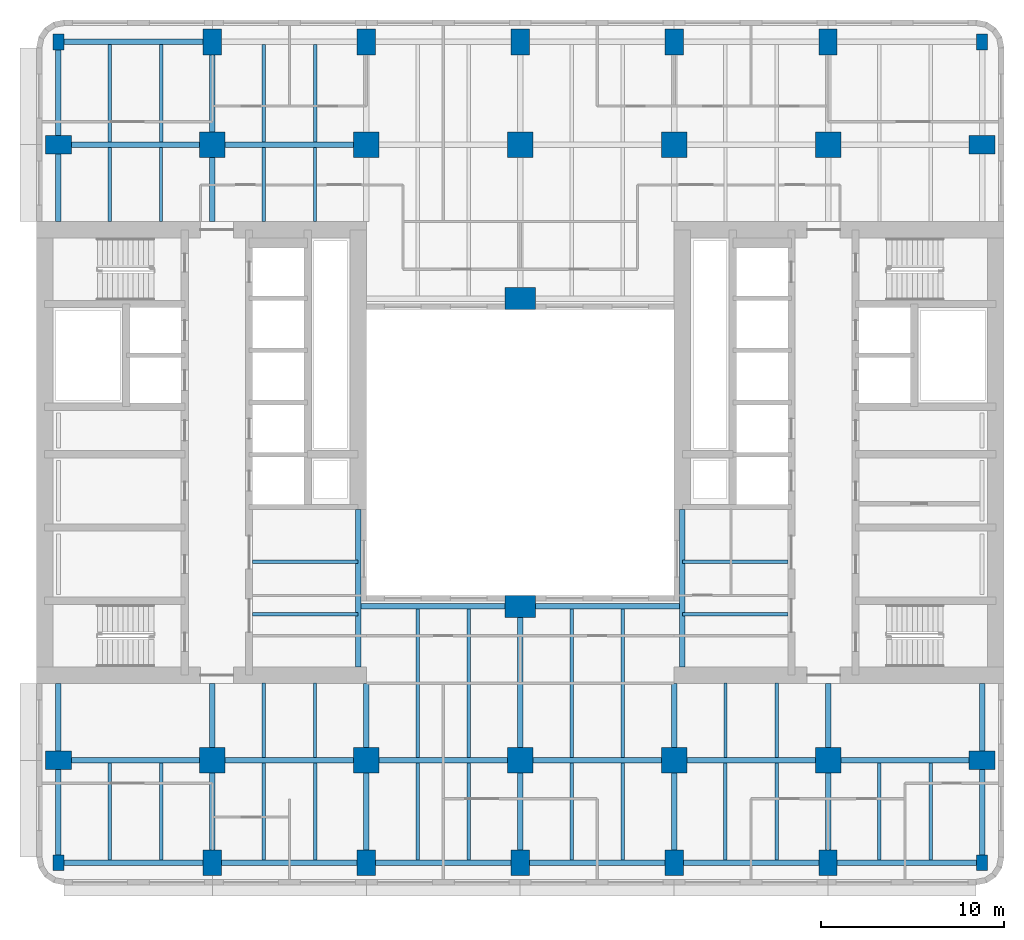
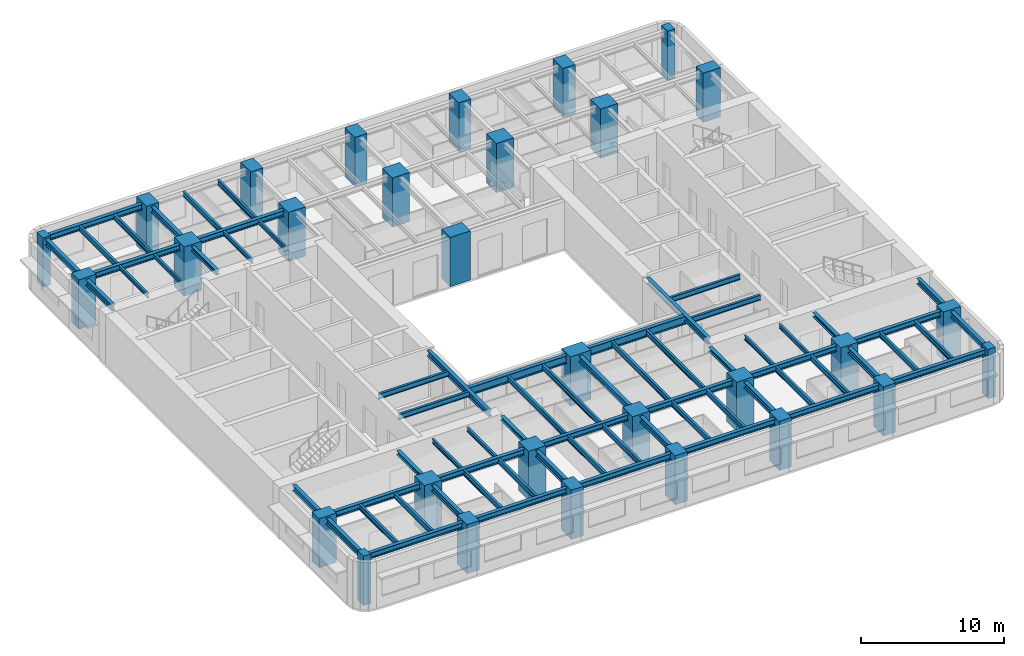
# One storey, part 1 of 11: 69 beams, 30 columns.
"""IFC4 building model written with IfcOpenShell, lengths in metres."""

from ifc_helpers import new_model, si_unit, direction, frame, origin, origin_2d, place, context, subcontext, project, spatial, rectangle, i_section, extrude, material, material_profile, profile_set, type_object, element, save


model = new_model("IFC4")

# Units and contexts
model_context = context("Model", 3, precision=1e-05, world=origin(), true_north=direction((0.0, 1.0)))
body_context = subcontext(model_context, "Body", "Model", "MODEL_VIEW")
ifc_project = project(units=[si_unit("LENGTHUNIT", "METRE"), si_unit("AREAUNIT", "SQUARE_METRE"), si_unit("VOLUMEUNIT", "CUBIC_METRE"), si_unit("PLANEANGLEUNIT", "RADIAN"), si_unit("MASSUNIT", "GRAM", prefix="KILO")], contexts=[model_context])

# Site, building, storey
site_placement = place(None, origin())
site = spatial("IfcSite", under=ifc_project, at=site_placement, CompositionType="ELEMENT")
building_placement = place(site_placement, origin())
building = spatial("IfcBuilding", under=site, at=building_placement, Name="Claustro Exchange Tower", CompositionType="ELEMENT")
storey_placement = place(building_placement, frame((0.0, 0.0, 151.199951171875)))
storey = spatial("IfcBuildingStorey", under=building, at=storey_placement, Name="L34", CompositionType="ELEMENT", Elevation=151.199951171875)

# Columns
ifc_material_1 = material(Name="Concrete HA-70 (C70/85)", Category="concrete")
ifc_material_profile_1 = material_profile(ifc_material_1, rectangle(XDim=1.39990234375, YDim=1.39990234375, at=origin_2d()), Name="RC 1400x1400")
ifc_profile_set_1 = profile_set([ifc_material_profile_1], Name="Concrete HA-70 (C70/85)")
column_type_1 = type_object("IfcColumnType", Name="C0 RC 1400x1400 HA-70 column", PredefinedType="COLUMN", material=ifc_profile_set_1)
for number, where, z_axis, x_axis, name in (
    (1, (8.39990234375, 8.39990234375, 0.0), (0.0, 0.0, 1.0), (1.0, 0.0, 0.0), "Column C0 2/B L34"),
    (2, (8.39990234375, 42.0, 0.0), (0.0, 0.0, 1.0), (1.0, 0.0, 0.0), "Column C0 2/F L34"),
    (3, (16.800048828125, 8.39990234375, 0.0), (0.0, 0.0, 1.0), (1.0, 0.0, 0.0), "Column C0 3/B L34"),
    (4, (16.800048828125, 42.0, 0.0), (0.0, 0.0, 1.0), (1.0, 0.0, 0.0), "Column C0 3/F L34"),
    (5, (25.199951171875, 8.39990234375, 0.0), (0.0, 0.0, 1.0), (1.0, 0.0, 0.0), "Column C0 4/B L34"),
    (6, (25.199951171875, 42.0, 0.0), (0.0, 0.0, 1.0), (1.0, 0.0, 0.0), "Column C0 4/F L34"),
    (7, (33.60009765625, 8.39990234375, 0.0), (0.0, 0.0, 1.0), (1.0, 0.0, 0.0), "Column C0 5/B L34"),
    (8, (33.60009765625, 42.0, 0.0), (0.0, 0.0, 1.0), (1.0, 0.0, 0.0), "Column C0 5/F L34"),
    (9, (42.0, 8.39990234375, 0.0), (0.0, 0.0, 1.0), (1.0, 0.0, 0.0), "Column C0 6/B L34"),
    (10, (42.0, 42.0, 0.0), (0.0, 0.0, 1.0), (1.0, 0.0, 0.0), "Column C0 6/F L34"),
):
    element("IfcColumn", number, at=place(storey_placement, frame(where, z_axis=z_axis, x_axis=x_axis)), inside=storey, type_object=column_type_1, Name=name, PredefinedType="COLUMN", context=body_context, shape_type="SweptSolid", body=[
        extrude(rectangle(XDim=1.39990234375, YDim=1.39990234375, at=origin_2d()), origin(), (0.0, 0.0, 1.0), 4.199951171875),
    ])
ifc_material_2 = material(Name="Concrete HA-70 (C70/85)", Category="concrete")
ifc_material_profile_2 = material_profile(ifc_material_2, rectangle(XDim=1.0, YDim=1.39990234375, at=origin_2d()), Name="RC 1000x1400")
ifc_profile_set_2 = profile_set([ifc_material_profile_2], Name="Concrete HA-70 (C70/85)")
column_type_2 = type_object("IfcColumnType", Name="C22 RC 1000x1400 HA-70 perimeter column", PredefinedType="COLUMN", material=ifc_profile_set_2)
for number, where, z_axis, x_axis, name in (
    (11, (0.0, 8.39990234375, 0.0), (0.0, 0.0, 1.0), (0.0, 1.0, 0.0), "Column C22 1/B L34"),
    (12, (0.0, 42.0, 0.0), (0.0, 0.0, 1.0), (0.0, 1.0, 0.0), "Column C22 1/F L34"),
    (13, (8.39990234375, 2.800048828125, 0.0), (0.0, 0.0, 1.0), (1.0, 0.0, 0.0), "Column C22 2/A+2800 L34"),
    (14, (8.39990234375, 47.60009765625, 0.0), (0.0, 0.0, 1.0), (1.0, 0.0, 0.0), "Column C22 2/F+5600 L34"),
    (15, (16.800048828125, 2.800048828125, 0.0), (0.0, 0.0, 1.0), (1.0, 0.0, 0.0), "Column C22 3/A+2800 L34"),
    (16, (16.800048828125, 47.60009765625, 0.0), (0.0, 0.0, 1.0), (1.0, 0.0, 0.0), "Column C22 3/F+5600 L34"),
    (17, (25.199951171875, 2.800048828125, 0.0), (0.0, 0.0, 1.0), (1.0, 0.0, 0.0), "Column C22 4/A+2800 L34"),
    (18, (25.199951171875, 47.60009765625, 0.0), (0.0, 0.0, 1.0), (1.0, 0.0, 0.0), "Column C22 4/F+5600 L34"),
    (19, (33.60009765625, 2.800048828125, 0.0), (0.0, 0.0, 1.0), (1.0, 0.0, 0.0), "Column C22 5/A+2800 L34"),
    (20, (33.60009765625, 47.60009765625, 0.0), (0.0, 0.0, 1.0), (1.0, 0.0, 0.0), "Column C22 5/F+5600 L34"),
    (21, (42.0, 2.800048828125, 0.0), (0.0, 0.0, 1.0), (1.0, 0.0, 0.0), "Column C22 6/A+2800 L34"),
    (22, (42.0, 47.60009765625, 0.0), (0.0, 0.0, 1.0), (1.0, 0.0, 0.0), "Column C22 6/F+5600 L34"),
    (23, (50.39990234375, 8.39990234375, 0.0), (0.0, 0.0, 1.0), (0.0, 1.0, 0.0), "Column C22 7/B L34"),
    (24, (50.39990234375, 42.0, 0.0), (0.0, 0.0, 1.0), (0.0, 1.0, 0.0), "Column C22 7/F L34"),
):
    element("IfcColumn", number, at=place(storey_placement, frame(where, z_axis=z_axis, x_axis=x_axis)), inside=storey, type_object=column_type_2, Name=name, PredefinedType="COLUMN", context=body_context, shape_type="SweptSolid", body=[
        extrude(rectangle(XDim=1.0, YDim=1.39990234375, at=origin_2d()), origin(), (0.0, 0.0, 1.0), 4.199951171875),
    ])
ifc_material_3 = material(Name="Concrete HA-50 (C50/60)", Category="concrete")
ifc_material_profile_3 = material_profile(ifc_material_3, rectangle(XDim=0.60009765625, YDim=0.85009765625, at=origin_2d()), Name="RC 600x850")
ifc_profile_set_3 = profile_set([ifc_material_profile_3], Name="Concrete HA-50 (C50/60)")
column_type_3 = type_object("IfcColumnType", Name="C25 RC 600x850 HA-50 corner column", PredefinedType="COLUMN", material=ifc_profile_set_3)
for number, where, z_axis, x_axis, name in (
    (25, (0.0, 2.800048828125, 0.0), (0.0, 0.0, 1.0), (1.0, 0.0, 0.0), "Column C25 1/A+2800 L34"),
    (26, (0.0, 47.60009765625, 0.0), (0.0, 0.0, 1.0), (1.0, 0.0, 0.0), "Column C25 1/F+5600 L34"),
    (27, (50.39990234375, 2.800048828125, 0.0), (0.0, 0.0, 1.0), (1.0, 0.0, 0.0), "Column C25 7/A+2800 L34"),
    (28, (50.39990234375, 47.60009765625, 0.0), (0.0, 0.0, 1.0), (1.0, 0.0, 0.0), "Column C25 7/F+5600 L34"),
):
    element("IfcColumn", number, at=place(storey_placement, frame(where, z_axis=z_axis, x_axis=x_axis)), inside=storey, type_object=column_type_3, Name=name, PredefinedType="COLUMN", context=body_context, shape_type="SweptSolid", body=[
        extrude(rectangle(XDim=0.60009765625, YDim=0.85009765625, at=origin_2d()), origin(), (0.0, 0.0, 1.0), 4.199951171875),
    ])
ifc_material_4 = material(Name="Concrete HA-70 (C70/85)", Category="concrete")
ifc_material_profile_4 = material_profile(ifc_material_4, rectangle(XDim=1.64990234375, YDim=1.199951171875, at=origin_2d()), Name="RC 1650x1200")
ifc_profile_set_4 = profile_set([ifc_material_profile_4], Name="Concrete HA-70 (C70/85)")
column_type_4 = type_object("IfcColumnType", Name="C32 RC 1650x1200 HA-70 light well column", PredefinedType="COLUMN", material=ifc_profile_set_4)
for number, where, z_axis, x_axis, name in (
    (29, (25.199951171875, 16.800048828125, 0.0), (0.0, 0.0, 1.0), (1.0, 0.0, 0.0), "Column C32 4/C L34"),
    (30, (25.199951171875, 33.60009765625, 0.0), (0.0, 0.0, 1.0), (1.0, 0.0, 0.0), "Column C32 4/E L34"),
):
    element("IfcColumn", number, at=place(storey_placement, frame(where, z_axis=z_axis, x_axis=x_axis)), inside=storey, type_object=column_type_4, Name=name, PredefinedType="COLUMN", context=body_context, shape_type="SweptSolid", body=[
        extrude(rectangle(XDim=1.64990234375, YDim=1.199951171875, at=origin_2d()), origin(), (0.0, 0.0, 1.0), 4.199951171875),
    ])

# Beams
ifc_material_5 = material(Name="Steel S355", Category="steel")
ifc_material_profile_5 = material_profile(ifc_material_5, i_section(OverallWidth=0.300048828125, OverallDepth=0.68994140625, WebThickness=0.014404296875, FlangeThickness=0.027099609375, FilletRadius=0.027099609375, at=origin_2d()), Name="HE 700 A")
ifc_profile_set_5 = profile_set([ifc_material_profile_5], Name="Steel S355")
beam_type_1 = type_object("IfcBeamType", Name="B13 HE 700 A light well edge girder", PredefinedType="BEAM", material=ifc_profile_set_5)
beam_1_placement = place(storey_placement, frame((16.35009765625, 16.800048828125, 3.705078125), z_axis=(1.0, 0.0, 0.0), x_axis=(0.0, 1.0, 0.0)))
element("IfcBeam", 31, at=beam_1_placement, inside=storey, type_object=beam_type_1, Name="Beam B13 L35", PredefinedType="BEAM", context=body_context, shape_type="SweptSolid", body=[
    extrude(i_section(OverallWidth=0.300048828125, OverallDepth=0.68994140625, WebThickness=0.014404296875, FlangeThickness=0.027099609375, FilletRadius=0.027099609375, at=origin_2d()), origin(), (0.0, 0.0, 1.0), 8.849853515625),
])
beam_2_placement = place(storey_placement, frame((25.199951171875, 16.800048828125, 3.705078125), z_axis=(1.0, 0.0, 0.0), x_axis=(0.0, 1.0, 0.0)))
element("IfcBeam", 32, at=beam_2_placement, inside=storey, type_object=beam_type_1, Name="Beam B13 L35", PredefinedType="BEAM", context=body_context, shape_type="SweptSolid", body=[
    extrude(i_section(OverallWidth=0.300048828125, OverallDepth=0.68994140625, WebThickness=0.014404296875, FlangeThickness=0.027099609375, FilletRadius=0.027099609375, at=origin_2d()), origin(), (0.0, 0.0, 1.0), 8.85009765625),
])
ifc_material_6 = material(Name="Steel S355", Category="steel")
ifc_material_profile_6 = material_profile(ifc_material_6, i_section(OverallWidth=0.169921875, OverallDepth=0.360107421875, WebThickness=0.008056640625, FlangeThickness=0.0126953125, FilletRadius=0.01806640625, at=origin_2d()), Name="IPE 360")
ifc_profile_set_6 = profile_set([ifc_material_profile_6], Name="Steel S355")
beam_type_2 = type_object("IfcBeamType", Name="B16 IPE 360 short-span beam", PredefinedType="BEAM", material=ifc_profile_set_6)
for number, where, z_axis, x_axis, name in (
    (33, (2.800048828125, 37.7900390625, 3.8701171875), (0.0, 1.0, 0.0), (-1.0, 0.0, 0.0), "Beam B16 L35"),
    (34, (5.60009765625, 37.7900390625, 3.8701171875), (0.0, 1.0, 0.0), (-1.0, 0.0, 0.0), "Beam B16 L35"),
    (35, (11.199951171875, 8.550048828125, 3.8701171875), (0.0, 1.0, 0.0), (-1.0, 0.0, 0.0), "Beam B16 L35"),
    (36, (14.0, 8.550048828125, 3.8701171875), (0.0, 1.0, 0.0), (-1.0, 0.0, 0.0), "Beam B16 L35"),
    (37, (11.199951171875, 37.7900390625, 3.8701171875), (0.0, 1.0, 0.0), (-1.0, 0.0, 0.0), "Beam B16 L35"),
    (38, (14.0, 37.7900390625, 3.8701171875), (0.0, 1.0, 0.0), (-1.0, 0.0, 0.0), "Beam B16 L35"),
    (39, (36.39990234375, 8.550048828125, 3.8701171875), (0.0, 1.0, 0.0), (-1.0, 0.0, 0.0), "Beam B16 L35"),
    (40, (39.199951171875, 8.550048828125, 3.8701171875), (0.0, 1.0, 0.0), (-1.0, 0.0, 0.0), "Beam B16 L35"),
):
    element("IfcBeam", number, at=place(storey_placement, frame(where, z_axis=z_axis, x_axis=x_axis)), inside=storey, type_object=beam_type_2, Name=name, PredefinedType="BEAM", context=body_context, shape_type="SweptSolid", body=[
        extrude(i_section(OverallWidth=0.169921875, OverallDepth=0.360107421875, WebThickness=0.008056640625, FlangeThickness=0.0126953125, FilletRadius=0.01806640625, at=origin_2d()), origin(), (0.0, 0.0, 1.0), 4.06005859375),
    ])
ifc_material_7 = material(Name="Steel S355", Category="steel")
ifc_material_profile_7 = material_profile(ifc_material_7, i_section(OverallWidth=0.300048828125, OverallDepth=0.360107421875, WebThickness=0.012451171875, FlangeThickness=0.0224609375, FilletRadius=0.027099609375, at=origin_2d()), Name="HE 360 B")
ifc_profile_set_7 = profile_set([ifc_material_profile_7], Name="Steel S355")
beam_type_3 = type_object("IfcBeamType", Name="B29 HE 360 B column to core link beam", PredefinedType="BEAM", material=ifc_profile_set_7)
beam_3_placement = place(storey_placement, frame((8.39990234375, 8.39990234375, 3.8701171875), z_axis=(0.0, 1.0, 0.0), x_axis=(-1.0, 0.0, 0.0)))
element("IfcBeam", 41, at=beam_3_placement, inside=storey, type_object=beam_type_3, Name="Beam B29 L35", PredefinedType="BEAM", context=body_context, shape_type="SweptSolid", body=[
    extrude(i_section(OverallWidth=0.300048828125, OverallDepth=0.360107421875, WebThickness=0.012451171875, FlangeThickness=0.0224609375, FilletRadius=0.027099609375, at=origin_2d()), origin(), (0.0, 0.0, 1.0), 4.2001953125),
])
beam_4_placement = place(storey_placement, frame((8.39990234375, 37.800048828125, 3.8701171875), z_axis=(0.0, 1.0, 0.0), x_axis=(-1.0, 0.0, 0.0)))
element("IfcBeam", 42, at=beam_4_placement, inside=storey, type_object=beam_type_3, Name="Beam B29 L35", PredefinedType="BEAM", context=body_context, shape_type="SweptSolid", body=[
    extrude(i_section(OverallWidth=0.300048828125, OverallDepth=0.360107421875, WebThickness=0.012451171875, FlangeThickness=0.0224609375, FilletRadius=0.027099609375, at=origin_2d()), origin(), (0.0, 0.0, 1.0), 4.199951171875),
])
for number, where, z_axis, x_axis, name in (
    (43, (16.800048828125, 8.39990234375, 3.8701171875), (0.0, 1.0, 0.0), (-1.0, 0.0, 0.0), "Beam B29 L35"),
    (44, (33.60009765625, 8.39990234375, 3.8701171875), (0.0, 1.0, 0.0), (-1.0, 0.0, 0.0), "Beam B29 L35"),
    (45, (42.0, 8.39990234375, 3.8701171875), (0.0, 1.0, 0.0), (-1.0, 0.0, 0.0), "Beam B29 L35"),
):
    element("IfcBeam", number, at=place(storey_placement, frame(where, z_axis=z_axis, x_axis=x_axis)), inside=storey, type_object=beam_type_3, Name=name, PredefinedType="BEAM", context=body_context, shape_type="SweptSolid", body=[
        extrude(i_section(OverallWidth=0.300048828125, OverallDepth=0.360107421875, WebThickness=0.012451171875, FlangeThickness=0.0224609375, FilletRadius=0.027099609375, at=origin_2d()), origin(), (0.0, 0.0, 1.0), 4.2001953125),
    ])
ifc_material_8 = material(Name="Steel S355", Category="steel")
ifc_material_profile_8 = material_profile(ifc_material_8, i_section(OverallWidth=0.300048828125, OverallDepth=0.5, WebThickness=0.014404296875, FlangeThickness=0.028076171875, FilletRadius=0.027099609375, at=origin_2d()), Name="HE 500 B")
ifc_profile_set_8 = profile_set([ifc_material_profile_8], Name="Steel S355")
beam_type_4 = type_object("IfcBeamType", Name="B7 HE 500 B floor girder", PredefinedType="BEAM", material=ifc_profile_set_8)
beam_5_placement = place(storey_placement, frame((8.39990234375, 2.800048828125, 3.800048828125), z_axis=(0.0, 1.0, 0.0), x_axis=(-1.0, 0.0, 0.0)))
element("IfcBeam", 46, at=beam_5_placement, inside=storey, type_object=beam_type_4, Name="Beam B7 L35", PredefinedType="BEAM", context=body_context, shape_type="SweptSolid", body=[
    extrude(i_section(OverallWidth=0.300048828125, OverallDepth=0.5, WebThickness=0.014404296875, FlangeThickness=0.028076171875, FilletRadius=0.027099609375, at=origin_2d()), origin(), (0.0, 0.0, 1.0), 5.599853515625),
])
beam_6_placement = place(storey_placement, frame((8.39990234375, 42.0, 3.800048828125), z_axis=(0.0, 1.0, 0.0), x_axis=(-1.0, 0.0, 0.0)))
element("IfcBeam", 47, at=beam_6_placement, inside=storey, type_object=beam_type_4, Name="Beam B7 L35", PredefinedType="BEAM", context=body_context, shape_type="SweptSolid", body=[
    extrude(i_section(OverallWidth=0.300048828125, OverallDepth=0.5, WebThickness=0.014404296875, FlangeThickness=0.028076171875, FilletRadius=0.027099609375, at=origin_2d()), origin(), (0.0, 0.0, 1.0), 5.60009765625),
])
for number, where, z_axis, x_axis, name in (
    (48, (16.800048828125, 2.800048828125, 3.800048828125), (0.0, 1.0, 0.0), (-1.0, 0.0, 0.0), "Beam B7 L35"),
    (49, (25.199951171875, 2.800048828125, 3.800048828125), (0.0, 1.0, 0.0), (-1.0, 0.0, 0.0), "Beam B7 L35"),
):
    element("IfcBeam", number, at=place(storey_placement, frame(where, z_axis=z_axis, x_axis=x_axis)), inside=storey, type_object=beam_type_4, Name=name, PredefinedType="BEAM", context=body_context, shape_type="SweptSolid", body=[
        extrude(i_section(OverallWidth=0.300048828125, OverallDepth=0.5, WebThickness=0.014404296875, FlangeThickness=0.028076171875, FilletRadius=0.027099609375, at=origin_2d()), origin(), (0.0, 0.0, 1.0), 5.599853515625),
    ])
beam_7_placement = place(storey_placement, frame((25.199951171875, 8.39990234375, 3.800048828125), z_axis=(0.0, 1.0, 0.0), x_axis=(-1.0, 0.0, 0.0)))
element("IfcBeam", 50, at=beam_7_placement, inside=storey, type_object=beam_type_4, Name="Beam B7 L35", PredefinedType="BEAM", context=body_context, shape_type="SweptSolid", body=[
    extrude(i_section(OverallWidth=0.300048828125, OverallDepth=0.5, WebThickness=0.014404296875, FlangeThickness=0.028076171875, FilletRadius=0.027099609375, at=origin_2d()), origin(), (0.0, 0.0, 1.0), 8.400146484375),
])
for number, where, z_axis, x_axis, name in (
    (51, (33.60009765625, 2.800048828125, 3.800048828125), (0.0, 1.0, 0.0), (-1.0, 0.0, 0.0), "Beam B7 L35"),
    (52, (42.0, 2.800048828125, 3.800048828125), (0.0, 1.0, 0.0), (-1.0, 0.0, 0.0), "Beam B7 L35"),
):
    element("IfcBeam", number, at=place(storey_placement, frame(where, z_axis=z_axis, x_axis=x_axis)), inside=storey, type_object=beam_type_4, Name=name, PredefinedType="BEAM", context=body_context, shape_type="SweptSolid", body=[
        extrude(i_section(OverallWidth=0.300048828125, OverallDepth=0.5, WebThickness=0.014404296875, FlangeThickness=0.028076171875, FilletRadius=0.027099609375, at=origin_2d()), origin(), (0.0, 0.0, 1.0), 5.599853515625),
    ])
beam_8_placement = place(storey_placement, frame((0.0, 8.39990234375, 3.800048828125), z_axis=(1.0, 0.0, 0.0), x_axis=(0.0, 1.0, 0.0)))
element("IfcBeam", 53, at=beam_8_placement, inside=storey, type_object=beam_type_4, Name="Beam B7 L35", PredefinedType="BEAM", context=body_context, shape_type="SweptSolid", body=[
    extrude(i_section(OverallWidth=0.300048828125, OverallDepth=0.5, WebThickness=0.014404296875, FlangeThickness=0.028076171875, FilletRadius=0.027099609375, at=origin_2d()), origin(), (0.0, 0.0, 1.0), 8.39990234375),
])
beam_9_placement = place(storey_placement, frame((8.39990234375, 8.39990234375, 3.800048828125), z_axis=(1.0, 0.0, 0.0), x_axis=(0.0, 1.0, 0.0)))
element("IfcBeam", 54, at=beam_9_placement, inside=storey, type_object=beam_type_4, Name="Beam B7 L35", PredefinedType="BEAM", context=body_context, shape_type="SweptSolid", body=[
    extrude(i_section(OverallWidth=0.300048828125, OverallDepth=0.5, WebThickness=0.014404296875, FlangeThickness=0.028076171875, FilletRadius=0.027099609375, at=origin_2d()), origin(), (0.0, 0.0, 1.0), 8.400146484375),
])
beam_10_placement = place(storey_placement, frame((16.800048828125, 8.39990234375, 3.800048828125), z_axis=(1.0, 0.0, 0.0), x_axis=(0.0, 1.0, 0.0)))
element("IfcBeam", 55, at=beam_10_placement, inside=storey, type_object=beam_type_4, Name="Beam B7 L35", PredefinedType="BEAM", context=body_context, shape_type="SweptSolid", body=[
    extrude(i_section(OverallWidth=0.300048828125, OverallDepth=0.5, WebThickness=0.014404296875, FlangeThickness=0.028076171875, FilletRadius=0.027099609375, at=origin_2d()), origin(), (0.0, 0.0, 1.0), 8.39990234375),
])
beam_11_placement = place(storey_placement, frame((25.199951171875, 8.39990234375, 3.800048828125), z_axis=(1.0, 0.0, 0.0), x_axis=(0.0, 1.0, 0.0)))
element("IfcBeam", 56, at=beam_11_placement, inside=storey, type_object=beam_type_4, Name="Beam B7 L35", PredefinedType="BEAM", context=body_context, shape_type="SweptSolid", body=[
    extrude(i_section(OverallWidth=0.300048828125, OverallDepth=0.5, WebThickness=0.014404296875, FlangeThickness=0.028076171875, FilletRadius=0.027099609375, at=origin_2d()), origin(), (0.0, 0.0, 1.0), 8.400146484375),
])
for number, where, z_axis, x_axis, name in (
    (57, (33.60009765625, 8.39990234375, 3.800048828125), (1.0, 0.0, 0.0), (0.0, 1.0, 0.0), "Beam B7 L35"),
    (58, (42.0, 8.39990234375, 3.800048828125), (1.0, 0.0, 0.0), (0.0, 1.0, 0.0), "Beam B7 L35"),
    (59, (0.0, 42.0, 3.800048828125), (1.0, 0.0, 0.0), (0.0, 1.0, 0.0), "Beam B7 L35"),
):
    element("IfcBeam", number, at=place(storey_placement, frame(where, z_axis=z_axis, x_axis=x_axis)), inside=storey, type_object=beam_type_4, Name=name, PredefinedType="BEAM", context=body_context, shape_type="SweptSolid", body=[
        extrude(i_section(OverallWidth=0.300048828125, OverallDepth=0.5, WebThickness=0.014404296875, FlangeThickness=0.028076171875, FilletRadius=0.027099609375, at=origin_2d()), origin(), (0.0, 0.0, 1.0), 8.39990234375),
    ])
beam_12_placement = place(storey_placement, frame((8.39990234375, 42.0, 3.800048828125), z_axis=(1.0, 0.0, 0.0), x_axis=(0.0, 1.0, 0.0)))
element("IfcBeam", 60, at=beam_12_placement, inside=storey, type_object=beam_type_4, Name="Beam B7 L35", PredefinedType="BEAM", context=body_context, shape_type="SweptSolid", body=[
    extrude(i_section(OverallWidth=0.300048828125, OverallDepth=0.5, WebThickness=0.014404296875, FlangeThickness=0.028076171875, FilletRadius=0.027099609375, at=origin_2d()), origin(), (0.0, 0.0, 1.0), 8.400146484375),
])
for number, where, z_axis, x_axis, name in (
    (61, (16.35009765625, 13.5, 3.800048828125), (0.0, 1.0, 0.0), (-1.0, 0.0, 0.0), "Beam B7 core step framing L35"),
    (62, (34.050048828125, 13.5, 3.800048828125), (0.0, 1.0, 0.0), (-1.0, 0.0, 0.0), "Beam B7 core step framing L35"),
):
    element("IfcBeam", number, at=place(storey_placement, frame(where, z_axis=z_axis, x_axis=x_axis)), inside=storey, type_object=beam_type_4, Name=name, PredefinedType="BEAM", context=body_context, shape_type="SweptSolid", body=[
        extrude(i_section(OverallWidth=0.300048828125, OverallDepth=0.5, WebThickness=0.014404296875, FlangeThickness=0.028076171875, FilletRadius=0.027099609375, at=origin_2d()), origin(), (0.0, 0.0, 1.0), 8.60009765625),
    ])
ifc_material_9 = material(Name="Steel S355", Category="steel")
ifc_material_profile_9 = material_profile(ifc_material_9, i_section(OverallWidth=0.18994140625, OverallDepth=0.449951171875, WebThickness=0.009521484375, FlangeThickness=0.0146484375, FilletRadius=0.02099609375, at=origin_2d()), Name="IPE 450")
ifc_profile_set_9 = profile_set([ifc_material_profile_9], Name="Steel S355")
beam_type_5 = type_object("IfcBeamType", Name="B8 IPE 450 secondary beam", PredefinedType="BEAM", material=ifc_profile_set_9)
for number, where, z_axis, x_axis, name in (
    (63, (2.800048828125, 2.949951171875, 3.824951171875), (0.0, 1.0, 0.0), (-1.0, 0.0, 0.0), "Beam B8 L35"),
    (64, (5.60009765625, 2.949951171875, 3.824951171875), (0.0, 1.0, 0.0), (-1.0, 0.0, 0.0), "Beam B8 L35"),
    (65, (2.800048828125, 42.14990234375, 3.824951171875), (0.0, 1.0, 0.0), (-1.0, 0.0, 0.0), "Beam B8 L35"),
    (66, (5.60009765625, 42.14990234375, 3.824951171875), (0.0, 1.0, 0.0), (-1.0, 0.0, 0.0), "Beam B8 L35"),
    (67, (11.199951171875, 2.949951171875, 3.824951171875), (0.0, 1.0, 0.0), (-1.0, 0.0, 0.0), "Beam B8 L35"),
    (68, (14.0, 2.949951171875, 3.824951171875), (0.0, 1.0, 0.0), (-1.0, 0.0, 0.0), "Beam B8 L35"),
    (69, (11.199951171875, 42.14990234375, 3.824951171875), (0.0, 1.0, 0.0), (-1.0, 0.0, 0.0), "Beam B8 L35"),
    (70, (14.0, 42.14990234375, 3.824951171875), (0.0, 1.0, 0.0), (-1.0, 0.0, 0.0), "Beam B8 L35"),
    (71, (19.60009765625, 2.949951171875, 3.824951171875), (0.0, 1.0, 0.0), (-1.0, 0.0, 0.0), "Beam B8 L35"),
    (72, (22.39990234375, 2.949951171875, 3.824951171875), (0.0, 1.0, 0.0), (-1.0, 0.0, 0.0), "Beam B8 L35"),
):
    element("IfcBeam", number, at=place(storey_placement, frame(where, z_axis=z_axis, x_axis=x_axis)), inside=storey, type_object=beam_type_5, Name=name, PredefinedType="BEAM", context=body_context, shape_type="SweptSolid", body=[
        extrude(i_section(OverallWidth=0.18994140625, OverallDepth=0.449951171875, WebThickness=0.009521484375, FlangeThickness=0.0146484375, FilletRadius=0.02099609375, at=origin_2d()), origin(), (0.0, 0.0, 1.0), 5.300048828125),
    ])
for number, where, z_axis, x_axis, name in (
    (73, (19.60009765625, 8.550048828125, 3.824951171875), (0.0, 1.0, 0.0), (-1.0, 0.0, 0.0), "Beam B8 L35"),
    (74, (22.39990234375, 8.550048828125, 3.824951171875), (0.0, 1.0, 0.0), (-1.0, 0.0, 0.0), "Beam B8 L35"),
):
    element("IfcBeam", number, at=place(storey_placement, frame(where, z_axis=z_axis, x_axis=x_axis)), inside=storey, type_object=beam_type_5, Name=name, PredefinedType="BEAM", context=body_context, shape_type="SweptSolid", body=[
        extrude(i_section(OverallWidth=0.18994140625, OverallDepth=0.449951171875, WebThickness=0.009521484375, FlangeThickness=0.0146484375, FilletRadius=0.02099609375, at=origin_2d()), origin(), (0.0, 0.0, 1.0), 8.099853515625),
    ])
for number, where, z_axis, x_axis, name in (
    (75, (28.0, 2.949951171875, 3.824951171875), (0.0, 1.0, 0.0), (-1.0, 0.0, 0.0), "Beam B8 L35"),
    (76, (30.800048828125, 2.949951171875, 3.824951171875), (0.0, 1.0, 0.0), (-1.0, 0.0, 0.0), "Beam B8 L35"),
):
    element("IfcBeam", number, at=place(storey_placement, frame(where, z_axis=z_axis, x_axis=x_axis)), inside=storey, type_object=beam_type_5, Name=name, PredefinedType="BEAM", context=body_context, shape_type="SweptSolid", body=[
        extrude(i_section(OverallWidth=0.18994140625, OverallDepth=0.449951171875, WebThickness=0.009521484375, FlangeThickness=0.0146484375, FilletRadius=0.02099609375, at=origin_2d()), origin(), (0.0, 0.0, 1.0), 5.300048828125),
    ])
for number, where, z_axis, x_axis, name in (
    (77, (28.0, 8.550048828125, 3.824951171875), (0.0, 1.0, 0.0), (-1.0, 0.0, 0.0), "Beam B8 L35"),
    (78, (30.800048828125, 8.550048828125, 3.824951171875), (0.0, 1.0, 0.0), (-1.0, 0.0, 0.0), "Beam B8 L35"),
):
    element("IfcBeam", number, at=place(storey_placement, frame(where, z_axis=z_axis, x_axis=x_axis)), inside=storey, type_object=beam_type_5, Name=name, PredefinedType="BEAM", context=body_context, shape_type="SweptSolid", body=[
        extrude(i_section(OverallWidth=0.18994140625, OverallDepth=0.449951171875, WebThickness=0.009521484375, FlangeThickness=0.0146484375, FilletRadius=0.02099609375, at=origin_2d()), origin(), (0.0, 0.0, 1.0), 8.099853515625),
    ])
for number, where, z_axis, x_axis, name in (
    (79, (36.39990234375, 2.949951171875, 3.824951171875), (0.0, 1.0, 0.0), (-1.0, 0.0, 0.0), "Beam B8 L35"),
    (80, (39.199951171875, 2.949951171875, 3.824951171875), (0.0, 1.0, 0.0), (-1.0, 0.0, 0.0), "Beam B8 L35"),
    (81, (44.800048828125, 2.949951171875, 3.824951171875), (0.0, 1.0, 0.0), (-1.0, 0.0, 0.0), "Beam B8 L35"),
    (82, (47.60009765625, 2.949951171875, 3.824951171875), (0.0, 1.0, 0.0), (-1.0, 0.0, 0.0), "Beam B8 L35"),
):
    element("IfcBeam", number, at=place(storey_placement, frame(where, z_axis=z_axis, x_axis=x_axis)), inside=storey, type_object=beam_type_5, Name=name, PredefinedType="BEAM", context=body_context, shape_type="SweptSolid", body=[
        extrude(i_section(OverallWidth=0.18994140625, OverallDepth=0.449951171875, WebThickness=0.009521484375, FlangeThickness=0.0146484375, FilletRadius=0.02099609375, at=origin_2d()), origin(), (0.0, 0.0, 1.0), 5.300048828125),
    ])
for number, where, z_axis, x_axis, name in (
    (83, (10.60009765625, 16.36669921875, 3.824951171875), (1.0, 0.0, 0.0), (0.0, 1.0, 0.0), "Beam B8 core step framing L35"),
    (84, (10.60009765625, 19.2333984375, 3.824951171875), (1.0, 0.0, 0.0), (0.0, 1.0, 0.0), "Beam B8 core step framing L35"),
    (85, (34.050048828125, 16.36669921875, 3.824951171875), (1.0, 0.0, 0.0), (0.0, 1.0, 0.0), "Beam B8 core step framing L35"),
    (86, (34.050048828125, 19.2333984375, 3.824951171875), (1.0, 0.0, 0.0), (0.0, 1.0, 0.0), "Beam B8 core step framing L35"),
):
    element("IfcBeam", number, at=place(storey_placement, frame(where, z_axis=z_axis, x_axis=x_axis)), inside=storey, type_object=beam_type_5, Name=name, PredefinedType="BEAM", context=body_context, shape_type="SweptSolid", body=[
        extrude(i_section(OverallWidth=0.18994140625, OverallDepth=0.449951171875, WebThickness=0.009521484375, FlangeThickness=0.0146484375, FilletRadius=0.02099609375, at=origin_2d()), origin(), (0.0, 0.0, 1.0), 5.75),
    ])
ifc_material_10 = material(Name="Steel S355", Category="steel")
ifc_material_profile_10 = material_profile(ifc_material_10, i_section(OverallWidth=0.300048828125, OverallDepth=0.489990234375, WebThickness=0.011962890625, FlangeThickness=0.02294921875, FilletRadius=0.027099609375, at=origin_2d()), Name="HE 500 A")
ifc_profile_set_10 = profile_set([ifc_material_profile_10], Name="Steel S355")
beam_type_6 = type_object("IfcBeamType", Name="B9 HE 500 A spandrel edge girder", PredefinedType="SPANDREL", material=ifc_profile_set_10)
beam_13_placement = place(storey_placement, frame((0.0, 2.800048828125, 3.804931640625), z_axis=(0.0, 1.0, 0.0), x_axis=(-1.0, 0.0, 0.0)))
element("IfcBeam", 87, at=beam_13_placement, inside=storey, type_object=beam_type_6, Name="Beam B9 L35", PredefinedType="SPANDREL", context=body_context, shape_type="SweptSolid", body=[
    extrude(i_section(OverallWidth=0.300048828125, OverallDepth=0.489990234375, WebThickness=0.011962890625, FlangeThickness=0.02294921875, FilletRadius=0.027099609375, at=origin_2d()), origin(), (0.0, 0.0, 1.0), 5.599853515625),
])
beam_14_placement = place(storey_placement, frame((0.0, 8.39990234375, 3.804931640625), z_axis=(0.0, 1.0, 0.0), x_axis=(-1.0, 0.0, 0.0)))
element("IfcBeam", 88, at=beam_14_placement, inside=storey, type_object=beam_type_6, Name="Beam B9 L35", PredefinedType="SPANDREL", context=body_context, shape_type="SweptSolid", body=[
    extrude(i_section(OverallWidth=0.300048828125, OverallDepth=0.489990234375, WebThickness=0.011962890625, FlangeThickness=0.02294921875, FilletRadius=0.027099609375, at=origin_2d()), origin(), (0.0, 0.0, 1.0), 4.2001953125),
])
beam_15_placement = place(storey_placement, frame((0.0, 37.800048828125, 3.804931640625), z_axis=(0.0, 1.0, 0.0), x_axis=(-1.0, 0.0, 0.0)))
element("IfcBeam", 89, at=beam_15_placement, inside=storey, type_object=beam_type_6, Name="Beam B9 L35", PredefinedType="SPANDREL", context=body_context, shape_type="SweptSolid", body=[
    extrude(i_section(OverallWidth=0.300048828125, OverallDepth=0.489990234375, WebThickness=0.011962890625, FlangeThickness=0.02294921875, FilletRadius=0.027099609375, at=origin_2d()), origin(), (0.0, 0.0, 1.0), 4.199951171875),
])
beam_16_placement = place(storey_placement, frame((0.0, 42.0, 3.804931640625), z_axis=(0.0, 1.0, 0.0), x_axis=(-1.0, 0.0, 0.0)))
element("IfcBeam", 90, at=beam_16_placement, inside=storey, type_object=beam_type_6, Name="Beam B9 L35", PredefinedType="SPANDREL", context=body_context, shape_type="SweptSolid", body=[
    extrude(i_section(OverallWidth=0.300048828125, OverallDepth=0.489990234375, WebThickness=0.011962890625, FlangeThickness=0.02294921875, FilletRadius=0.027099609375, at=origin_2d()), origin(), (0.0, 0.0, 1.0), 5.60009765625),
])
beam_17_placement = place(storey_placement, frame((50.39990234375, 2.800048828125, 3.804931640625), z_axis=(0.0, 1.0, 0.0), x_axis=(-1.0, 0.0, 0.0)))
element("IfcBeam", 91, at=beam_17_placement, inside=storey, type_object=beam_type_6, Name="Beam B9 L35", PredefinedType="SPANDREL", context=body_context, shape_type="SweptSolid", body=[
    extrude(i_section(OverallWidth=0.300048828125, OverallDepth=0.489990234375, WebThickness=0.011962890625, FlangeThickness=0.02294921875, FilletRadius=0.027099609375, at=origin_2d()), origin(), (0.0, 0.0, 1.0), 5.599853515625),
])
beam_18_placement = place(storey_placement, frame((50.39990234375, 8.39990234375, 3.804931640625), z_axis=(0.0, 1.0, 0.0), x_axis=(-1.0, 0.0, 0.0)))
element("IfcBeam", 92, at=beam_18_placement, inside=storey, type_object=beam_type_6, Name="Beam B9 L35", PredefinedType="SPANDREL", context=body_context, shape_type="SweptSolid", body=[
    extrude(i_section(OverallWidth=0.300048828125, OverallDepth=0.489990234375, WebThickness=0.011962890625, FlangeThickness=0.02294921875, FilletRadius=0.027099609375, at=origin_2d()), origin(), (0.0, 0.0, 1.0), 4.2001953125),
])
beam_19_placement = place(storey_placement, frame((0.0, 2.800048828125, 3.804931640625), z_axis=(1.0, 0.0, 0.0), x_axis=(0.0, 1.0, 0.0)))
element("IfcBeam", 93, at=beam_19_placement, inside=storey, type_object=beam_type_6, Name="Beam B9 L35", PredefinedType="SPANDREL", context=body_context, shape_type="SweptSolid", body=[
    extrude(i_section(OverallWidth=0.300048828125, OverallDepth=0.489990234375, WebThickness=0.011962890625, FlangeThickness=0.02294921875, FilletRadius=0.027099609375, at=origin_2d()), origin(), (0.0, 0.0, 1.0), 8.39990234375),
])
beam_20_placement = place(storey_placement, frame((8.39990234375, 2.800048828125, 3.804931640625), z_axis=(1.0, 0.0, 0.0), x_axis=(0.0, 1.0, 0.0)))
element("IfcBeam", 94, at=beam_20_placement, inside=storey, type_object=beam_type_6, Name="Beam B9 L35", PredefinedType="SPANDREL", context=body_context, shape_type="SweptSolid", body=[
    extrude(i_section(OverallWidth=0.300048828125, OverallDepth=0.489990234375, WebThickness=0.011962890625, FlangeThickness=0.02294921875, FilletRadius=0.027099609375, at=origin_2d()), origin(), (0.0, 0.0, 1.0), 8.400146484375),
])
beam_21_placement = place(storey_placement, frame((16.800048828125, 2.800048828125, 3.804931640625), z_axis=(1.0, 0.0, 0.0), x_axis=(0.0, 1.0, 0.0)))
element("IfcBeam", 95, at=beam_21_placement, inside=storey, type_object=beam_type_6, Name="Beam B9 L35", PredefinedType="SPANDREL", context=body_context, shape_type="SweptSolid", body=[
    extrude(i_section(OverallWidth=0.300048828125, OverallDepth=0.489990234375, WebThickness=0.011962890625, FlangeThickness=0.02294921875, FilletRadius=0.027099609375, at=origin_2d()), origin(), (0.0, 0.0, 1.0), 8.39990234375),
])
beam_22_placement = place(storey_placement, frame((25.199951171875, 2.800048828125, 3.804931640625), z_axis=(1.0, 0.0, 0.0), x_axis=(0.0, 1.0, 0.0)))
element("IfcBeam", 96, at=beam_22_placement, inside=storey, type_object=beam_type_6, Name="Beam B9 L35", PredefinedType="SPANDREL", context=body_context, shape_type="SweptSolid", body=[
    extrude(i_section(OverallWidth=0.300048828125, OverallDepth=0.489990234375, WebThickness=0.011962890625, FlangeThickness=0.02294921875, FilletRadius=0.027099609375, at=origin_2d()), origin(), (0.0, 0.0, 1.0), 8.400146484375),
])
for number, where, z_axis, x_axis, name in (
    (97, (33.60009765625, 2.800048828125, 3.804931640625), (1.0, 0.0, 0.0), (0.0, 1.0, 0.0), "Beam B9 L35"),
    (98, (42.0, 2.800048828125, 3.804931640625), (1.0, 0.0, 0.0), (0.0, 1.0, 0.0), "Beam B9 L35"),
    (99, (0.0, 47.60009765625, 3.804931640625), (1.0, 0.0, 0.0), (0.0, 1.0, 0.0), "Beam B9 L35"),
):
    element("IfcBeam", number, at=place(storey_placement, frame(where, z_axis=z_axis, x_axis=x_axis)), inside=storey, type_object=beam_type_6, Name=name, PredefinedType="SPANDREL", context=body_context, shape_type="SweptSolid", body=[
        extrude(i_section(OverallWidth=0.300048828125, OverallDepth=0.489990234375, WebThickness=0.011962890625, FlangeThickness=0.02294921875, FilletRadius=0.027099609375, at=origin_2d()), origin(), (0.0, 0.0, 1.0), 8.39990234375),
    ])

save(model, "model.ifc")
